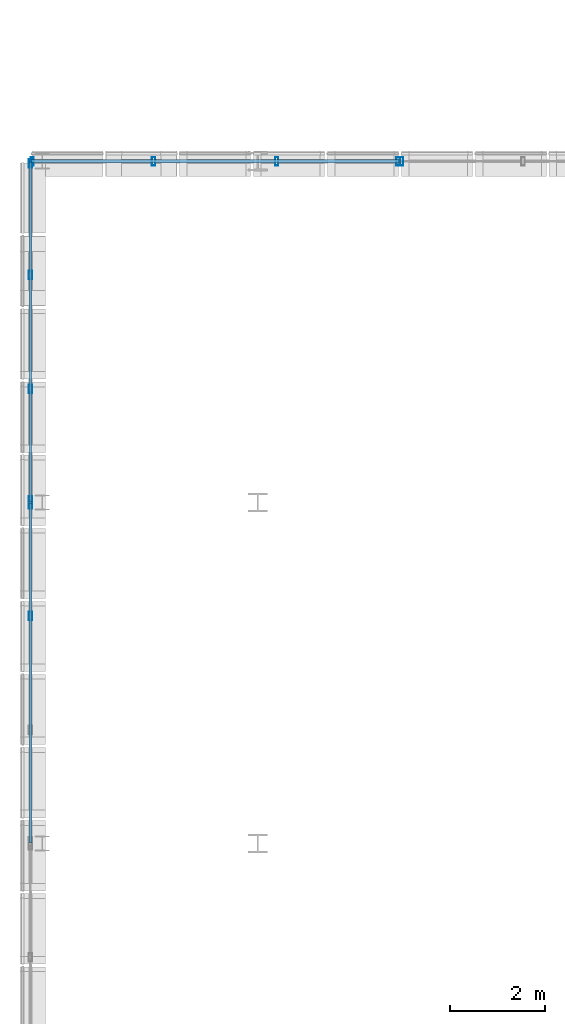
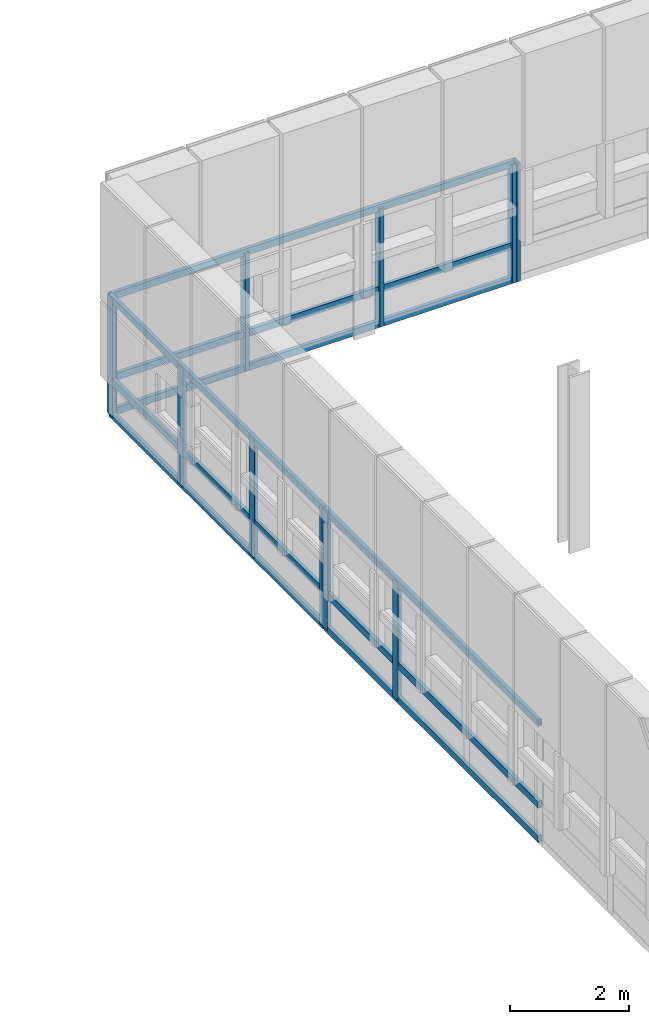
# One storey, part 14 of 96: 20 members, 4 elements without a shape of their own.
"""IFC4 building model written with IfcOpenShell, lengths in metres."""

from ifc_helpers import new_model, si_unit, direction, frame, origin, origin_2d, place, context, subcontext, project, spatial, hollow_rectangle, extrude, material, material_profile, profile_set, type_object, element, aggregate, save


model = new_model("IFC4")

# Units and contexts
model_context = context("Model", 3, precision=1e-05, world=origin(), true_north=direction((0.0, 1.0)))
body_context = subcontext(model_context, "Body", "Model", "MODEL_VIEW")
ifc_project = project(units=[si_unit("LENGTHUNIT", "METRE"), si_unit("AREAUNIT", "SQUARE_METRE"), si_unit("VOLUMEUNIT", "CUBIC_METRE"), si_unit("PLANEANGLEUNIT", "RADIAN"), si_unit("MASSUNIT", "GRAM", prefix="KILO")], contexts=[model_context])

# Site, building, storey
site_placement = place(None, origin())
site = spatial("IfcSite", under=ifc_project, at=site_placement, CompositionType="ELEMENT")
building_placement = place(site_placement, origin())
building = spatial("IfcBuilding", under=site, at=building_placement, Name="Yarey Park Central Fire Station", CompositionType="ELEMENT")
storey_placement = place(building_placement, frame((0.0, 0.0, 14.39990234375)))
storey = spatial("IfcBuildingStorey", under=building, at=storey_placement, Name="L04", CompositionType="ELEMENT", Elevation=14.39990234375)

# Curtain wall, members
ifc_material = material(Name="Anodized Aluminium Frame", Category="aluminium")
curtain_wall_type = type_object("IfcCurtainWallType", Name="ENV_CW_V3_OVR2", PredefinedType="NOTDEFINED", material=ifc_material)
curtain_wall_1_placement = place(storey_placement, origin())
curtain_wall_1 = element("IfcCurtainWall", 1, at=curtain_wall_1_placement, inside=storey, type_object=curtain_wall_type, Name="CW_L04_DRUM_W_069", PredefinedType="NOTDEFINED")
ifc_material_profile_1 = material_profile(ifc_material, hollow_rectangle(XDim=0.070068359375, YDim=0.179931640625, WallThickness=0.00390625, at=origin_2d()), Name="ALU 180x70x4")
ifc_profile_set_1 = profile_set([ifc_material_profile_1], Name="Anodized Aluminium Frame")
member_type_1 = type_object("IfcMemberType", Name="ENV_CW_MULLION", PredefinedType="MULLION", material=ifc_profile_set_1)
member_1_placement = place(storey_placement, frame((9.60009765625, 35.9599609375, 0.0), z_axis=(0.0, 0.0, 1.0), x_axis=(1.0, 0.0, 0.0)))
member_1 = element("IfcMember", 2, at=member_1_placement, type_object=member_type_1, Name="CW_L04_DRUM_W_069_MUL1", PredefinedType="MULLION", context=body_context, shape_type="SweptSolid", body=[
    extrude(hollow_rectangle(XDim=0.070068359375, YDim=0.179931640625, WallThickness=0.00390625, at=origin_2d()), origin(), (0.0, 0.0, 1.0), 2.420166015625),
])
member_2_placement = place(storey_placement, frame((9.60009765625, 33.60009765625, 0.0), z_axis=(0.0, 0.0, 1.0), x_axis=(1.0, 0.0, 0.0)))
member_2 = element("IfcMember", 3, at=member_2_placement, type_object=member_type_1, Name="CW_L04_DRUM_W_069_MUL2", PredefinedType="MULLION", context=body_context, shape_type="SweptSolid", body=[
    extrude(hollow_rectangle(XDim=0.070068359375, YDim=0.179931640625, WallThickness=0.00390625, at=origin_2d()), origin(), (0.0, 0.0, 1.0), 2.420166015625),
])

curtain_wall_2_placement = place(storey_placement, origin())
curtain_wall_2 = element("IfcCurtainWall", 4, at=curtain_wall_2_placement, inside=storey, type_object=curtain_wall_type, Name="CW_L04_DRUM_W_070", PredefinedType="NOTDEFINED")
member_3_placement = place(storey_placement, frame((9.60009765625, 43.159912109375, 0.0), z_axis=(0.0, 0.0, 1.0), x_axis=(1.0, 0.0, 0.0)))
member_3 = element("IfcMember", 5, at=member_3_placement, type_object=member_type_1, Name="CW_L04_DRUM_W_070_MUL1", PredefinedType="MULLION", context=body_context, shape_type="SweptSolid", body=[
    extrude(hollow_rectangle(XDim=0.070068359375, YDim=0.179931640625, WallThickness=0.00390625, at=origin_2d()), origin(), (0.0, 0.0, 1.0), 2.420166015625),
])
member_4_placement = place(storey_placement, frame((9.60009765625, 40.800048828125, 0.0), z_axis=(0.0, 0.0, 1.0), x_axis=(1.0, 0.0, 0.0)))
member_4 = element("IfcMember", 6, at=member_4_placement, type_object=member_type_1, Name="CW_L04_DRUM_W_070_MUL2", PredefinedType="MULLION", context=body_context, shape_type="SweptSolid", body=[
    extrude(hollow_rectangle(XDim=0.070068359375, YDim=0.179931640625, WallThickness=0.00390625, at=origin_2d()), origin(), (0.0, 0.0, 1.0), 2.420166015625),
])
member_5_placement = place(storey_placement, frame((9.60009765625, 38.39990234375, 0.0), z_axis=(0.0, 0.0, 1.0), x_axis=(1.0, 0.0, 0.0)))
member_5 = element("IfcMember", 7, at=member_5_placement, type_object=member_type_1, Name="CW_L04_DRUM_W_070_MUL3", PredefinedType="MULLION", context=body_context, shape_type="SweptSolid", body=[
    extrude(hollow_rectangle(XDim=0.070068359375, YDim=0.179931640625, WallThickness=0.00390625, at=origin_2d()), origin(), (0.0, 0.0, 1.0), 2.420166015625),
])
member_6_placement = place(storey_placement, frame((9.60009765625, 36.0400390625, 0.0), z_axis=(0.0, 0.0, 1.0), x_axis=(1.0, 0.0, 0.0)))
member_6 = element("IfcMember", 8, at=member_6_placement, type_object=member_type_1, Name="CW_L04_DRUM_W_070_MUL4", PredefinedType="MULLION", context=body_context, shape_type="SweptSolid", body=[
    extrude(hollow_rectangle(XDim=0.070068359375, YDim=0.179931640625, WallThickness=0.00390625, at=origin_2d()), origin(), (0.0, 0.0, 1.0), 2.420166015625),
])

curtain_wall_3_placement = place(storey_placement, origin())
curtain_wall_3 = element("IfcCurtainWall", 9, at=curtain_wall_3_placement, inside=storey, type_object=curtain_wall_type, Name="CW_L04_DRUM_N_071", PredefinedType="NOTDEFINED")
member_7_placement = place(storey_placement, frame((17.360107421875, 43.199951171875, 0.0), z_axis=(0.0, 0.0, 1.0), x_axis=(1.0, 0.0, 0.0)))
member_7 = element("IfcMember", 10, at=member_7_placement, type_object=member_type_1, Name="CW_L04_DRUM_N_071_MUL1", PredefinedType="MULLION", context=body_context, shape_type="SweptSolid", body=[
    extrude(hollow_rectangle(XDim=0.070068359375, YDim=0.179931640625, WallThickness=0.00390625, at=origin_2d()), origin(), (0.0, 0.0, 1.0), 2.420166015625),
])
member_8_placement = place(storey_placement, frame((14.800048828125, 43.199951171875, 0.0), z_axis=(0.0, 0.0, 1.0), x_axis=(1.0, 0.0, 0.0)))
member_8 = element("IfcMember", 11, at=member_8_placement, type_object=member_type_1, Name="CW_L04_DRUM_N_071_MUL2", PredefinedType="MULLION", context=body_context, shape_type="SweptSolid", body=[
    extrude(hollow_rectangle(XDim=0.070068359375, YDim=0.179931640625, WallThickness=0.00390625, at=origin_2d()), origin(), (0.0, 0.0, 1.0), 2.420166015625),
])
member_9_placement = place(storey_placement, frame((12.199951171875, 43.199951171875, 0.0), z_axis=(0.0, 0.0, 1.0), x_axis=(1.0, 0.0, 0.0)))
member_9 = element("IfcMember", 12, at=member_9_placement, type_object=member_type_1, Name="CW_L04_DRUM_N_071_MUL3", PredefinedType="MULLION", context=body_context, shape_type="SweptSolid", body=[
    extrude(hollow_rectangle(XDim=0.070068359375, YDim=0.179931640625, WallThickness=0.00390625, at=origin_2d()), origin(), (0.0, 0.0, 1.0), 2.420166015625),
])
member_10_placement = place(storey_placement, frame((9.639892578125, 43.199951171875, 0.0), z_axis=(0.0, 0.0, 1.0), x_axis=(1.0, 0.0, 0.0)))
member_10 = element("IfcMember", 13, at=member_10_placement, type_object=member_type_1, Name="CW_L04_DRUM_N_071_MUL4", PredefinedType="MULLION", context=body_context, shape_type="SweptSolid", body=[
    extrude(hollow_rectangle(XDim=0.070068359375, YDim=0.179931640625, WallThickness=0.00390625, at=origin_2d()), origin(), (0.0, 0.0, 1.0), 2.420166015625),
])

# Curtain wall, member
curtain_wall_4_placement = place(storey_placement, origin())
curtain_wall_4 = element("IfcCurtainWall", 14, at=curtain_wall_4_placement, inside=storey, type_object=curtain_wall_type, Name="CW_L04_DRUM_N_072", PredefinedType="NOTDEFINED")
member_11_placement = place(storey_placement, frame((17.43994140625, 43.199951171875, 0.0), z_axis=(0.0, 0.0, 1.0), x_axis=(1.0, 0.0, 0.0)))
member_11 = element("IfcMember", 15, at=member_11_placement, type_object=member_type_1, Name="CW_L04_DRUM_N_072_MUL4", PredefinedType="MULLION", context=body_context, shape_type="SweptSolid", body=[
    extrude(hollow_rectangle(XDim=0.070068359375, YDim=0.179931640625, WallThickness=0.00390625, at=origin_2d()), origin(), (0.0, 0.0, 1.0), 2.420166015625),
])
aggregate(curtain_wall_4, [member_11])

# Member
ifc_material_profile_2 = material_profile(ifc_material, hollow_rectangle(XDim=0.070068359375, YDim=0.139892578125, WallThickness=0.00390625, at=origin_2d()), Name="ALU 140x70x4")
ifc_profile_set_2 = profile_set([ifc_material_profile_2], Name="Anodized Aluminium Frame")
member_type_2 = type_object("IfcMemberType", Name="ENV_CW_TRANSOM", PredefinedType="USERDEFINED", material=ifc_profile_set_2)
member_12_placement = place(storey_placement, frame((9.60009765625, 35.985107421875, 0.025146484375), z_axis=(0.0, -1.0, 0.0), x_axis=(1.0, 0.0, 0.0)))
member_12 = element("IfcMember", 16, at=member_12_placement, type_object=member_type_2, Name="CW_L04_DRUM_W_069_TRN1", ObjectType="TRANSOM", PredefinedType="USERDEFINED", context=body_context, shape_type="SweptSolid", body=[
    extrude(hollow_rectangle(XDim=0.070068359375, YDim=0.139892578125, WallThickness=0.00390625, at=origin_2d()), origin(), (0.0, 0.0, 1.0), 7.170166015625),
])

member_13_placement = place(storey_placement, frame((9.60009765625, 35.985107421875, 0.72607421875), z_axis=(0.0, -1.0, 0.0), x_axis=(1.0, 0.0, 0.0)))
member_13 = element("IfcMember", 17, at=member_13_placement, type_object=member_type_2, Name="CW_L04_DRUM_W_069_TRN2", ObjectType="TRANSOM", PredefinedType="USERDEFINED", context=body_context, shape_type="SweptSolid", body=[
    extrude(hollow_rectangle(XDim=0.070068359375, YDim=0.139892578125, WallThickness=0.00390625, at=origin_2d()), origin(), (0.0, 0.0, 1.0), 7.170166015625),
])

member_14_placement = place(storey_placement, frame((9.60009765625, 35.985107421875, 2.39501953125), z_axis=(0.0, -1.0, 0.0), x_axis=(1.0, 0.0, 0.0)))
member_14 = element("IfcMember", 18, at=member_14_placement, type_object=member_type_2, Name="CW_L04_DRUM_W_069_TRN3", ObjectType="TRANSOM", PredefinedType="USERDEFINED", context=body_context, shape_type="SweptSolid", body=[
    extrude(hollow_rectangle(XDim=0.070068359375, YDim=0.139892578125, WallThickness=0.00390625, at=origin_2d()), origin(), (0.0, 0.0, 1.0), 7.170166015625),
])

aggregate(curtain_wall_1, [member_1, member_2, member_12, member_13, member_14])

member_15_placement = place(storey_placement, frame((9.60009765625, 43.18505859375, 0.025146484375), z_axis=(0.0, -1.0, 0.0), x_axis=(1.0, 0.0, 0.0)))
member_15 = element("IfcMember", 19, at=member_15_placement, type_object=member_type_2, Name="CW_L04_DRUM_W_070_TRN1", ObjectType="TRANSOM", PredefinedType="USERDEFINED", context=body_context, shape_type="SweptSolid", body=[
    extrude(hollow_rectangle(XDim=0.070068359375, YDim=0.139892578125, WallThickness=0.00390625, at=origin_2d()), origin(), (0.0, 0.0, 1.0), 7.170166015625),
])

member_16_placement = place(storey_placement, frame((9.60009765625, 43.18505859375, 0.72607421875), z_axis=(0.0, -1.0, 0.0), x_axis=(1.0, 0.0, 0.0)))
member_16 = element("IfcMember", 20, at=member_16_placement, type_object=member_type_2, Name="CW_L04_DRUM_W_070_TRN2", ObjectType="TRANSOM", PredefinedType="USERDEFINED", context=body_context, shape_type="SweptSolid", body=[
    extrude(hollow_rectangle(XDim=0.070068359375, YDim=0.139892578125, WallThickness=0.00390625, at=origin_2d()), origin(), (0.0, 0.0, 1.0), 7.170166015625),
])

member_17_placement = place(storey_placement, frame((9.60009765625, 43.18505859375, 2.39501953125), z_axis=(0.0, -1.0, 0.0), x_axis=(1.0, 0.0, 0.0)))
member_17 = element("IfcMember", 21, at=member_17_placement, type_object=member_type_2, Name="CW_L04_DRUM_W_070_TRN3", ObjectType="TRANSOM", PredefinedType="USERDEFINED", context=body_context, shape_type="SweptSolid", body=[
    extrude(hollow_rectangle(XDim=0.070068359375, YDim=0.139892578125, WallThickness=0.00390625, at=origin_2d()), origin(), (0.0, 0.0, 1.0), 7.170166015625),
])

aggregate(curtain_wall_2, [member_3, member_4, member_5, member_6, member_15, member_16, member_17])

member_18_placement = place(storey_placement, frame((17.385009765625, 43.199951171875, 0.025146484375), z_axis=(-1.0, 0.0, 0.0), x_axis=(0.0, -1.0, 0.0)))
member_18 = element("IfcMember", 22, at=member_18_placement, type_object=member_type_2, Name="CW_L04_DRUM_N_071_TRN1", ObjectType="TRANSOM", PredefinedType="USERDEFINED", context=body_context, shape_type="SweptSolid", body=[
    extrude(hollow_rectangle(XDim=0.070068359375, YDim=0.139892578125, WallThickness=0.00390625, at=origin_2d()), origin(), (0.0, 0.0, 1.0), 7.77001953125),
])

member_19_placement = place(storey_placement, frame((17.385009765625, 43.199951171875, 0.72607421875), z_axis=(-1.0, 0.0, 0.0), x_axis=(0.0, -1.0, 0.0)))
member_19 = element("IfcMember", 23, at=member_19_placement, type_object=member_type_2, Name="CW_L04_DRUM_N_071_TRN2", ObjectType="TRANSOM", PredefinedType="USERDEFINED", context=body_context, shape_type="SweptSolid", body=[
    extrude(hollow_rectangle(XDim=0.070068359375, YDim=0.139892578125, WallThickness=0.00390625, at=origin_2d()), origin(), (0.0, 0.0, 1.0), 7.77001953125),
])

member_20_placement = place(storey_placement, frame((17.385009765625, 43.199951171875, 2.39501953125), z_axis=(-1.0, 0.0, 0.0), x_axis=(0.0, -1.0, 0.0)))
member_20 = element("IfcMember", 24, at=member_20_placement, type_object=member_type_2, Name="CW_L04_DRUM_N_071_TRN3", ObjectType="TRANSOM", PredefinedType="USERDEFINED", context=body_context, shape_type="SweptSolid", body=[
    extrude(hollow_rectangle(XDim=0.070068359375, YDim=0.139892578125, WallThickness=0.00390625, at=origin_2d()), origin(), (0.0, 0.0, 1.0), 7.77001953125),
])

aggregate(curtain_wall_3, [member_7, member_8, member_9, member_10, member_18, member_19, member_20])

save(model, "model.ifc")
